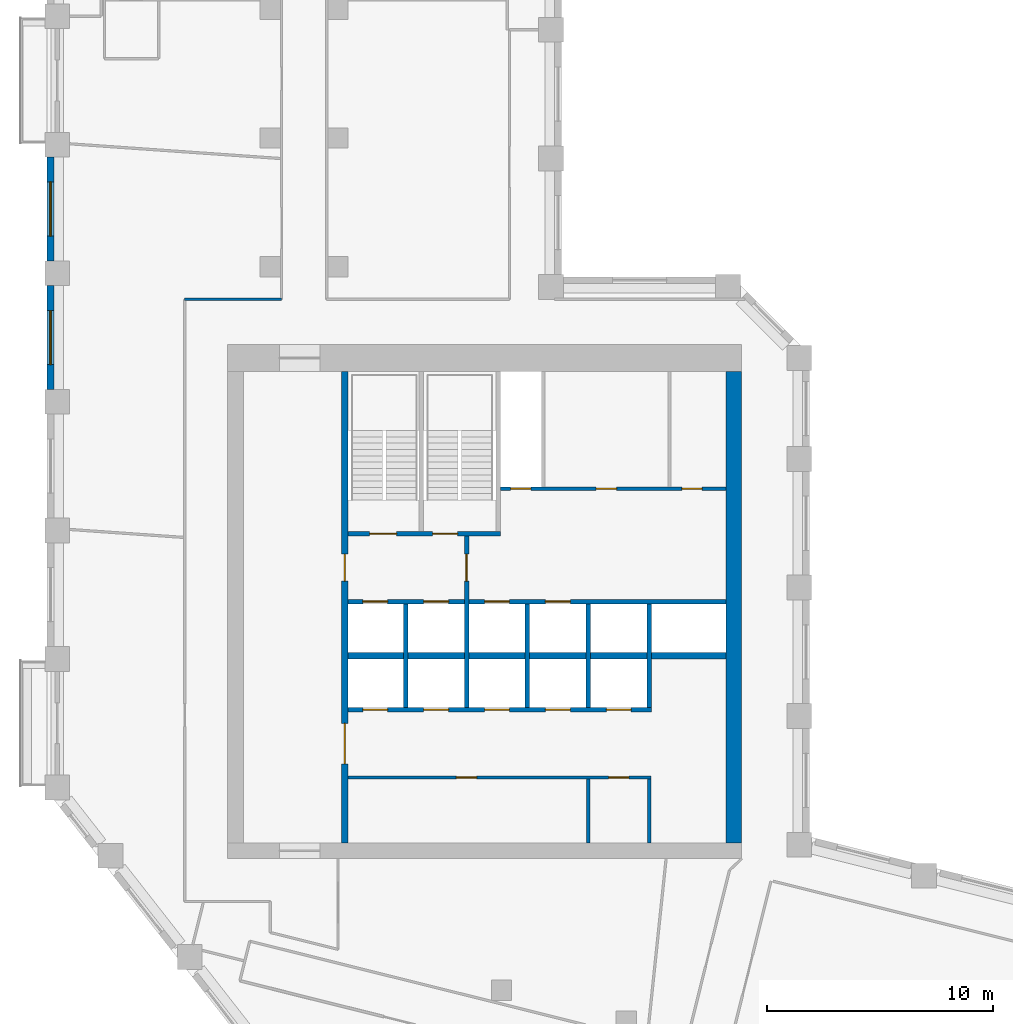
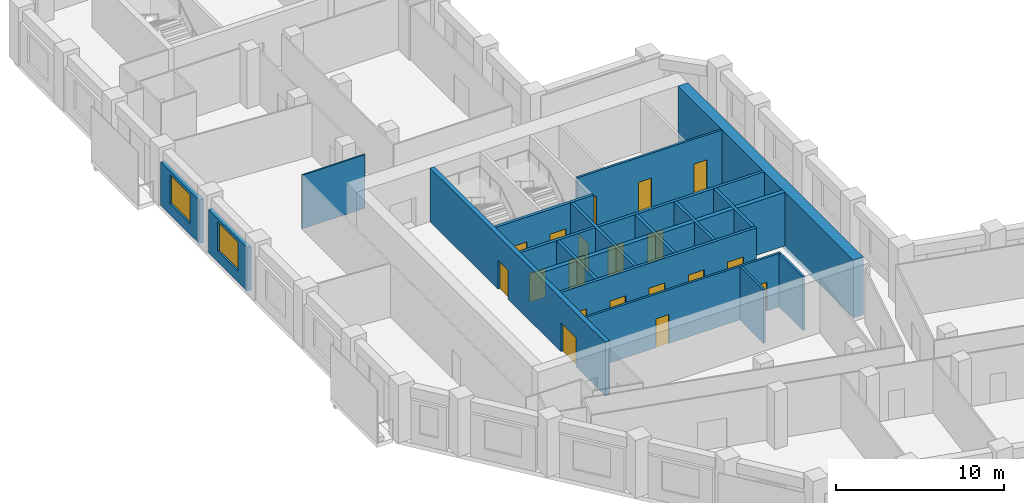
# One storey, part 5 of 10: 19 doors, 18 walls, 2 windows, 21 openings.
"""IFC4 building model written with IfcOpenShell, lengths in metres."""

from ifc_helpers import new_model, si_unit, direction, frame, frame_2d, origin, place, context, subcontext, project, spatial, rectangle, extrude, material, layer, layer_set, type_object, element, fill, save


model = new_model("IFC4")

# Units and contexts
model_context = context("Model", 3, precision=1e-05, world=origin(), true_north=direction((0.0, 1.0)))
body_context = subcontext(model_context, "Body", "Model", "MODEL_VIEW")
ifc_project = project(units=[si_unit("LENGTHUNIT", "METRE"), si_unit("AREAUNIT", "SQUARE_METRE"), si_unit("VOLUMEUNIT", "CUBIC_METRE"), si_unit("PLANEANGLEUNIT", "RADIAN"), si_unit("MASSUNIT", "GRAM", prefix="KILO")], contexts=[model_context])

# Site, building, storey
site_placement = place(None, origin())
site = spatial("IfcSite", under=ifc_project, at=site_placement, CompositionType="ELEMENT")
building_placement = place(site_placement, origin())
building = spatial("IfcBuilding", under=site, at=building_placement, Name="Meshkara Civic Tower", CompositionType="ELEMENT")
storey_placement = place(building_placement, frame((0.0, 0.0, 234.0)))
storey = spatial("IfcBuildingStorey", under=building, at=storey_placement, Name="L53", CompositionType="ELEMENT", Elevation=234.0)

# Wall, openings, doors
ifc_material_1 = material(Name="Blockwork", Category="masonry")
ifc_layer_1 = layer(ifc_material_1, 0.14990234375)
ifc_layer_set_1 = layer_set([ifc_layer_1], Name="Core partition 150")
wall_type_1 = type_object("IfcWallType", Name="Core partition 150", PredefinedType="PARTITIONING", material=ifc_layer_set_1)
wall_1_placement = place(storey_placement, frame((13.35009765625, 17.699951171875, 0.0), z_axis=(0.0, 0.0, 1.0), x_axis=(1.0, 0.0, 0.0)))
wall_1 = element("IfcWall", 1, at=wall_1_placement, inside=storey, type_object=wall_type_1, Name="L53-C005", PredefinedType="PARTITIONING", context=body_context, shape_type="SweptSolid", body=[
    extrude(rectangle(XDim=13.4248046875, YDim=0.14990234375, at=frame_2d((6.71240234375, 0.0))), origin(), (0.0, 0.0, 1.0), 3.89990234375),
])
opening_1_placement = place(wall_1_placement, frame((4.800048828125, 0.0, 0.0)))
opening_1 = element("IfcOpeningElement", 2, at=opening_1_placement, cuts=wall_1, Name="Opening L53-K010", PredefinedType="OPENING", context=body_context, shape_type="SweptSolid", body=[
    extrude(rectangle(XDim=0.89990234375, YDim=2.10009765625, at=frame_2d((0.449951171875, 1.050048828125))), frame((0.0, 0.0849609375, 0.0), z_axis=(0.0, -1.0, 0.0), x_axis=(1.0, 0.0, 0.0)), (0.0, 0.0, 1.0), 0.169921875),
])
opening_2_placement = place(wall_1_placement, frame((11.550048828125, 0.0, 0.0)))
opening_2 = element("IfcOpeningElement", 3, at=opening_2_placement, cuts=wall_1, Name="Opening L53-K011", PredefinedType="OPENING", context=body_context, shape_type="SweptSolid", body=[
    extrude(rectangle(XDim=0.89990234375, YDim=2.10009765625, at=frame_2d((0.449951171875, 1.050048828125))), frame((0.0, 0.0849609375, 0.0), z_axis=(0.0, -1.0, 0.0), x_axis=(1.0, 0.0, 0.0)), (0.0, 0.0, 1.0), 0.169921875),
])
ifc_material_2 = material(Name="Timber door leaf in steel frame", Category="steel")
door_type_1 = type_object("IfcDoorType", Name="Core room door 900", OperationType="SINGLE_SWING_LEFT", PredefinedType="DOOR", material=ifc_material_2)
door_1_placement = place(opening_1_placement, origin())
door_1 = element("IfcDoor", 4, at=door_1_placement, inside=storey, type_object=door_type_1, Name="L53-K010", OperationType="SINGLE_SWING_LEFT", OverallHeight=2.10009765625, OverallWidth=0.89990234375, PredefinedType="DOOR", context=body_context, shape_type="SweptSolid", body=[
    extrude(rectangle(XDim=0.89990234375, YDim=2.10009765625, at=frame_2d((0.449951171875, 1.050048828125))), frame((0.0, 0.02490234375, 0.0), z_axis=(0.0, -1.0, 0.0), x_axis=(1.0, 0.0, 0.0)), (0.0, 0.0, 1.0), 0.050048828125),
])
fill(opening_1, door_1)
door_2_placement = place(opening_2_placement, origin())
door_2 = element("IfcDoor", 5, at=door_2_placement, inside=storey, type_object=door_type_1, Name="L53-K011", OperationType="SINGLE_SWING_LEFT", OverallHeight=2.10009765625, OverallWidth=0.89990234375, PredefinedType="DOOR", context=body_context, shape_type="SweptSolid", body=[
    extrude(rectangle(XDim=0.89990234375, YDim=2.10009765625, at=frame_2d((0.449951171875, 1.050048828125))), frame((0.0, 0.02490234375, 0.0), z_axis=(0.0, -1.0, 0.0), x_axis=(1.0, 0.0, 0.0)), (0.0, 0.0, 1.0), 0.050048828125),
])
fill(opening_2, door_2)

wall_2_placement = place(storey_placement, frame((20.10009765625, 30.5, 0.0), z_axis=(0.0, 0.0, 1.0), x_axis=(1.0, 0.0, 0.0)))
wall_2 = element("IfcWall", 6, at=wall_2_placement, inside=storey, type_object=wall_type_1, Name="L53-C010", PredefinedType="PARTITIONING", context=body_context, shape_type="SweptSolid", body=[
    extrude(rectangle(XDim=10.0, YDim=0.14990234375, at=frame_2d((5.0, 0.0))), origin(), (0.0, 0.0, 1.0), 3.89990234375),
])
opening_3_placement = place(wall_2_placement, frame((0.449951171875, 0.0, 0.0)))
opening_3 = element("IfcOpeningElement", 7, at=opening_3_placement, cuts=wall_2, Name="Opening L53-K012", PredefinedType="OPENING", context=body_context, shape_type="SweptSolid", body=[
    extrude(rectangle(XDim=0.89990234375, YDim=2.10009765625, at=frame_2d((0.449951171875, 1.050048828125))), frame((0.0, 0.0849609375, 0.0), z_axis=(0.0, -1.0, 0.0), x_axis=(1.0, 0.0, 0.0)), (0.0, 0.0, 1.0), 0.169921875),
])
opening_4_placement = place(wall_2_placement, frame((4.25, 0.0, 0.0)))
opening_4 = element("IfcOpeningElement", 8, at=opening_4_placement, cuts=wall_2, Name="Opening L53-K013", PredefinedType="OPENING", context=body_context, shape_type="SweptSolid", body=[
    extrude(rectangle(XDim=0.89990234375, YDim=2.10009765625, at=frame_2d((0.449951171875, 1.050048828125))), frame((0.0, 0.0849609375, 0.0), z_axis=(0.0, -1.0, 0.0), x_axis=(1.0, 0.0, 0.0)), (0.0, 0.0, 1.0), 0.169921875),
])
opening_5_placement = place(wall_2_placement, frame((8.050048828125, 0.0, 0.0)))
opening_5 = element("IfcOpeningElement", 9, at=opening_5_placement, cuts=wall_2, Name="Opening L53-K014", PredefinedType="OPENING", context=body_context, shape_type="SweptSolid", body=[
    extrude(rectangle(XDim=0.89990234375, YDim=2.10009765625, at=frame_2d((0.449951171875, 1.050048828125))), frame((0.0, 0.0849609375, 0.0), z_axis=(0.0, -1.0, 0.0), x_axis=(1.0, 0.0, 0.0)), (0.0, 0.0, 1.0), 0.169921875),
])
door_3_placement = place(opening_4_placement, origin())
door_3 = element("IfcDoor", 10, at=door_3_placement, inside=storey, type_object=door_type_1, Name="L53-K013", OperationType="SINGLE_SWING_RIGHT", OverallHeight=2.10009765625, OverallWidth=0.89990234375, PredefinedType="DOOR", context=body_context, shape_type="SweptSolid", body=[
    extrude(rectangle(XDim=0.89990234375, YDim=2.10009765625, at=frame_2d((0.449951171875, 1.050048828125))), frame((0.0, 0.02490234375, 0.0), z_axis=(0.0, -1.0, 0.0), x_axis=(1.0, 0.0, 0.0)), (0.0, 0.0, 1.0), 0.050048828125),
])
fill(opening_4, door_3)
door_4_placement = place(opening_5_placement, origin())
door_4 = element("IfcDoor", 11, at=door_4_placement, inside=storey, type_object=door_type_1, Name="L53-K014", OperationType="SINGLE_SWING_RIGHT", OverallHeight=2.10009765625, OverallWidth=0.89990234375, PredefinedType="DOOR", context=body_context, shape_type="SweptSolid", body=[
    extrude(rectangle(XDim=0.89990234375, YDim=2.10009765625, at=frame_2d((0.449951171875, 1.050048828125))), frame((0.0, 0.02490234375, 0.0), z_axis=(0.0, -1.0, 0.0), x_axis=(1.0, 0.0, 0.0)), (0.0, 0.0, 1.0), 0.050048828125),
])
fill(opening_5, door_4)
ifc_material_3 = material(Name="Fire-rated door leaf in steel frame", Category="steel")
door_type_2 = type_object("IfcDoorType", Name="Riser door 900", OperationType="SINGLE_SWING_LEFT", PredefinedType="DOOR", material=ifc_material_3)
door_5_placement = place(opening_3_placement, origin())
door_5 = element("IfcDoor", 12, at=door_5_placement, inside=storey, type_object=door_type_2, Name="L53-K012", OperationType="SINGLE_SWING_RIGHT", OverallHeight=2.10009765625, OverallWidth=0.89990234375, PredefinedType="DOOR", context=body_context, shape_type="SweptSolid", body=[
    extrude(rectangle(XDim=0.89990234375, YDim=2.10009765625, at=frame_2d((0.449951171875, 1.050048828125))), frame((0.0, 0.02490234375, 0.0), z_axis=(0.0, -1.0, 0.0), x_axis=(1.0, 0.0, 0.0)), (0.0, 0.0, 1.0), 0.050048828125),
])
fill(opening_3, door_5)

# Walls
for number, where, z_axis, x_axis, name in (
    (13, (24.0, 14.800048828125, 0.0), (0.0, 0.0, 1.0), (0.0, 1.0, 0.0), "L53-C018"),
    (14, (26.699951171875, 14.800048828125, 0.0), (0.0, 0.0, 1.0), (0.0, 1.0, 0.0), "L53-C020"),
):
    element("IfcWall", number, at=place(storey_placement, frame(where, z_axis=z_axis, x_axis=x_axis)), inside=storey, type_object=wall_type_1, Name=name, PredefinedType="PARTITIONING", context=body_context, shape_type="SweptSolid", body=[
        extrude(rectangle(XDim=2.824951171875, YDim=0.14990234375, at=frame_2d((1.41259765625, 0.0))), origin(), (0.0, 0.0, 1.0), 3.89990234375),
    ])
ifc_material_4 = material(Name="Concrete C60", Category="concrete")
ifc_layer_2 = layer(ifc_material_4, 0.699951171875)
ifc_layer_set_2 = layer_set([ifc_layer_2], Name="Core ring wall 700 C60")
wall_type_2 = type_object("IfcWallType", Name="Core ring wall 700 C60", PredefinedType="SHEAR", material=ifc_layer_set_2)
wall_3_placement = place(storey_placement, frame((30.449951171875, 14.800048828125, -0.300048828125), z_axis=(0.0, 0.0, 1.0), x_axis=(0.0, 1.0, 0.0)))
element("IfcWall", 15, at=wall_3_placement, inside=storey, type_object=wall_type_2, Name="L53-C004", PredefinedType="SHEAR", context=body_context, shape_type="SweptSolid", body=[
    extrude(rectangle(XDim=20.89990234375, YDim=0.699951171875, at=frame_2d((10.449951171875, 0.0))), origin(), (0.0, 0.0, 1.0), 4.199951171875),
])
ifc_material_5 = material(Name="Concrete C60", Category="concrete")
ifc_layer_3 = layer(ifc_material_5, 0.300048828125)
ifc_layer_set_3 = layer_set([ifc_layer_3], Name="Core shear wall 300 C60")
wall_type_3 = type_object("IfcWallType", Name="Core shear wall 300 C60", PredefinedType="SHEAR", material=ifc_layer_set_3)
wall_4_placement = place(storey_placement, frame((13.35009765625, 23.10009765625, 0.0), z_axis=(0.0, 0.0, 1.0), x_axis=(1.0, 0.0, 0.0)))
element("IfcWall", 16, at=wall_4_placement, inside=storey, type_object=wall_type_3, Name="L53-C007", PredefinedType="SHEAR", context=body_context, shape_type="SweptSolid", body=[
    extrude(rectangle(XDim=16.75, YDim=0.300048828125, at=frame_2d((8.375, 0.0))), origin(), (0.0, 0.0, 1.0), 3.89990234375),
])

# Wall, openings, doors
wall_5_placement = place(storey_placement, frame((13.199951171875, 14.800048828125, 0.0), z_axis=(0.0, 0.0, 1.0), x_axis=(0.0, 1.0, 0.0)))
wall_5 = element("IfcWall", 17, at=wall_5_placement, inside=storey, type_object=wall_type_3, Name="L53-C011", PredefinedType="SHEAR", context=body_context, shape_type="SweptSolid", body=[
    extrude(rectangle(XDim=20.89990234375, YDim=0.300048828125, at=frame_2d((10.449951171875, 0.0))), origin(), (0.0, 0.0, 1.0), 3.89990234375),
])
opening_6_placement = place(wall_5_placement, frame((3.5, 0.0, 0.0)))
opening_6 = element("IfcOpeningElement", 18, at=opening_6_placement, cuts=wall_5, Name="Opening L53-K017", PredefinedType="OPENING", context=body_context, shape_type="SweptSolid", body=[
    extrude(rectangle(XDim=1.800048828125, YDim=2.10009765625, at=frame_2d((0.89990234375, 1.050048828125))), frame((0.0, 0.159912109375, 0.0), z_axis=(0.0, -1.0, 0.0), x_axis=(1.0, 0.0, 0.0)), (0.0, 0.0, 1.0), 0.320068359375),
])
opening_7_placement = place(wall_5_placement, frame((11.60009765625, 0.0, 0.0)))
opening_7 = element("IfcOpeningElement", 19, at=opening_7_placement, cuts=wall_5, Name="Opening L53-K018", PredefinedType="OPENING", context=body_context, shape_type="SweptSolid", body=[
    extrude(rectangle(XDim=1.199951171875, YDim=2.10009765625, at=frame_2d((0.60009765625, 1.050048828125))), frame((0.0, 0.159912109375, 0.0), z_axis=(0.0, -1.0, 0.0), x_axis=(1.0, 0.0, 0.0)), (0.0, 0.0, 1.0), 0.320068359375),
])
ifc_material_6 = material(Name="Fire-rated door leaf in steel frame", Category="steel")
door_type_3 = type_object("IfcDoorType", Name="Core double door 1800 EI 60", OperationType="DOUBLE_DOOR_SINGLE_SWING", PredefinedType="DOOR", material=ifc_material_6)
door_6_placement = place(opening_6_placement, origin())
door_6 = element("IfcDoor", 20, at=door_6_placement, inside=storey, type_object=door_type_3, Name="L53-K017", OperationType="DOUBLE_DOOR_SINGLE_SWING", OverallHeight=2.10009765625, OverallWidth=1.800048828125, PredefinedType="DOOR", context=body_context, shape_type="SweptSolid", body=[
    extrude(rectangle(XDim=1.800048828125, YDim=2.10009765625, at=frame_2d((0.89990234375, 1.050048828125))), frame((0.0, 0.02490234375, 0.0), z_axis=(0.0, -1.0, 0.0), x_axis=(1.0, 0.0, 0.0)), (0.0, 0.0, 1.0), 0.050048828125),
])
fill(opening_6, door_6)
ifc_material_7 = material(Name="Fire-rated door leaf in steel frame", Category="steel")
door_type_4 = type_object("IfcDoorType", Name="Fire-fighting lobby door 1200 EI 120", OperationType="SINGLE_SWING_LEFT", PredefinedType="DOOR", material=ifc_material_7)
door_7_placement = place(opening_7_placement, origin())
door_7 = element("IfcDoor", 21, at=door_7_placement, inside=storey, type_object=door_type_4, Name="L53-K018", OperationType="SINGLE_SWING_LEFT", OverallHeight=2.10009765625, OverallWidth=1.199951171875, PredefinedType="DOOR", context=body_context, shape_type="SweptSolid", body=[
    extrude(rectangle(XDim=1.199951171875, YDim=2.10009765625, at=frame_2d((0.60009765625, 1.050048828125))), frame((0.0, 0.02490234375, 0.0), z_axis=(0.0, -1.0, 0.0), x_axis=(1.0, 0.0, 0.0)), (0.0, 0.0, 1.0), 0.050048828125),
])
fill(opening_7, door_7)

# Wall
ifc_material_8 = material(Name="Corridor wall 100")
ifc_layer_4 = layer(ifc_material_8, 0.10009765625)
ifc_layer_set_4 = layer_set([ifc_layer_4], Name="Corridor wall 100")
wall_type_4 = type_object("IfcWallType", Name="Corridor wall 100", PredefinedType="PARTITIONING", material=ifc_layer_set_4)
wall_6_placement = place(storey_placement, frame((10.39990234375, 38.89990234375, 0.0), z_axis=(0.0, 0.0, 1.0), x_axis=(-1.0, 0.0, 0.0)))
element("IfcWall", 22, at=wall_6_placement, inside=storey, type_object=wall_type_4, Name="L53-W011", PredefinedType="PARTITIONING", context=body_context, shape_type="SweptSolid", body=[
    extrude(rectangle(XDim=4.2998046875, YDim=0.10009765625, at=frame_2d((2.14990234375, 0.0))), origin(), (0.0, 0.0, 1.0), 3.89990234375),
])

# Wall, opening, window
ifc_material_9 = material(Name="Insulated infill panel with bronze anodised aluminium cladding", Category="aluminium")
ifc_layer_5 = layer(ifc_material_9, 0.300048828125)
ifc_layer_set_5 = layer_set([ifc_layer_5], Name="EXTERNAL INFILL WALL 300")
wall_type_5 = type_object("IfcWallType", Name="EXTERNAL INFILL WALL 300", PredefinedType="SOLIDWALL", material=ifc_layer_set_5)
wall_7_placement = place(storey_placement, frame((0.14990234375, 45.205078125, 0.0), z_axis=(0.0, 0.0, 1.0), x_axis=(0.0, -1.0, 0.0)))
wall_7 = element("IfcWall", 23, at=wall_7_placement, inside=storey, type_object=wall_type_5, Name="External wall", PredefinedType="SOLIDWALL", context=body_context, shape_type="SweptSolid", body=[
    extrude(rectangle(XDim=4.60009765625, YDim=0.300048828125, at=frame_2d((2.300048828125, 0.0))), origin(), (0.0, 0.0, 1.0), 3.14990234375),
])
opening_8_placement = place(wall_7_placement, frame((1.10009765625, 0.0, 0.800048828125)))
opening_8 = element("IfcOpeningElement", 24, at=opening_8_placement, cuts=wall_7, Name="Opening W7", PredefinedType="OPENING", context=body_context, shape_type="SweptSolid", body=[
    extrude(rectangle(XDim=2.39990234375, YDim=2.10009765625, at=frame_2d((1.199951171875, 1.050048828125))), frame((0.0, 0.159912109375, 0.0), z_axis=(0.0, -1.0, 0.0), x_axis=(1.0, 0.0, 0.0)), (0.0, 0.0, 1.0), 0.320068359375),
])
ifc_material_10 = material(Name="Tinted double glazing", Category="glass")
window_type = type_object("IfcWindowType", Name="WINDOW 2400x2100", PartitioningType="DOUBLE_PANEL_VERTICAL", PredefinedType="WINDOW", material=ifc_material_10)
window_1_placement = place(opening_8_placement, origin())
window_1 = element("IfcWindow", 25, at=window_1_placement, inside=storey, type_object=window_type, Name="Window", OverallHeight=2.10009765625, OverallWidth=2.39990234375, PartitioningType="DOUBLE_PANEL_VERTICAL", PredefinedType="WINDOW", context=body_context, shape_type="SweptSolid", body=[
    extrude(rectangle(XDim=2.39990234375, YDim=2.10009765625, at=frame_2d((1.199951171875, 1.050048828125))), frame((0.0, 0.030029296875, 0.0), z_axis=(0.0, -1.0, 0.0), x_axis=(1.0, 0.0, 0.0)), (0.0, 0.0, 1.0), 0.06005859375),
])
fill(opening_8, window_1)

wall_8_placement = place(storey_placement, frame((0.14990234375, 39.5048828125, 0.0), z_axis=(0.0, 0.0, 1.0), x_axis=(0.0, -1.0, 0.0)))
wall_8 = element("IfcWall", 26, at=wall_8_placement, inside=storey, type_object=wall_type_5, Name="External wall", PredefinedType="SOLIDWALL", context=body_context, shape_type="SweptSolid", body=[
    extrude(rectangle(XDim=4.599853515625, YDim=0.300048828125, at=frame_2d((2.2998046875, 0.0))), origin(), (0.0, 0.0, 1.0), 3.14990234375),
])
opening_9_placement = place(wall_8_placement, frame((1.10009765625, 0.0, 0.800048828125)))
opening_9 = element("IfcOpeningElement", 27, at=opening_9_placement, cuts=wall_8, Name="Opening W7", PredefinedType="OPENING", context=body_context, shape_type="SweptSolid", body=[
    extrude(rectangle(XDim=2.39990234375, YDim=2.10009765625, at=frame_2d((1.199951171875, 1.050048828125))), frame((0.0, 0.159912109375, 0.0), z_axis=(0.0, -1.0, 0.0), x_axis=(1.0, 0.0, 0.0)), (0.0, 0.0, 1.0), 0.320068359375),
])
window_2_placement = place(opening_9_placement, origin())
window_2 = element("IfcWindow", 28, at=window_2_placement, inside=storey, type_object=window_type, Name="Window", OverallHeight=2.10009765625, OverallWidth=2.39990234375, PartitioningType="DOUBLE_PANEL_VERTICAL", PredefinedType="WINDOW", context=body_context, shape_type="SweptSolid", body=[
    extrude(rectangle(XDim=2.39990234375, YDim=2.10009765625, at=frame_2d((1.199951171875, 1.050048828125))), frame((0.0, 0.030029296875, 0.0), z_axis=(0.0, -1.0, 0.0), x_axis=(1.0, 0.0, 0.0)), (0.0, 0.0, 1.0), 0.06005859375),
])
fill(opening_9, window_2)

# Wall, openings, doors
ifc_material_11 = material(Name="Concrete C40/50", Category="concrete")
ifc_layer_6 = layer(ifc_material_11, 0.199951171875)
ifc_layer_set_6 = layer_set([ifc_layer_6], Name="Shaft wall 200 C40/50")
wall_type_6 = type_object("IfcWallType", Name="Shaft wall 200 C40/50", PredefinedType="SOLIDWALL", material=ifc_layer_set_6)
wall_9_placement = place(storey_placement, frame((13.35009765625, 20.699951171875, 0.0), z_axis=(0.0, 0.0, 1.0), x_axis=(1.0, 0.0, 0.0)))
wall_9 = element("IfcWall", 29, at=wall_9_placement, inside=storey, type_object=wall_type_6, Name="L53-C006", PredefinedType="SOLIDWALL", context=body_context, shape_type="SweptSolid", body=[
    extrude(rectangle(XDim=13.449951171875, YDim=0.199951171875, at=frame_2d((6.72509765625, 0.0))), origin(), (0.0, 0.0, 1.0), 3.89990234375),
])
opening_10_placement = place(wall_9_placement, frame((0.64990234375, 0.0, 0.0)))
opening_10 = element("IfcOpeningElement", 30, at=opening_10_placement, cuts=wall_9, Name="Opening L53-K001", PredefinedType="OPENING", context=body_context, shape_type="SweptSolid", body=[
    extrude(rectangle(XDim=1.10009765625, YDim=2.10009765625, at=frame_2d((0.550048828125, 1.050048828125))), frame((0.0, 0.10986328125, 0.0), z_axis=(0.0, -1.0, 0.0), x_axis=(1.0, 0.0, 0.0)), (0.0, 0.0, 1.0), 0.219970703125),
])
opening_11_placement = place(wall_9_placement, frame((3.35009765625, 0.0, 0.0)))
opening_11 = element("IfcOpeningElement", 31, at=opening_11_placement, cuts=wall_9, Name="Opening L53-K002", PredefinedType="OPENING", context=body_context, shape_type="SweptSolid", body=[
    extrude(rectangle(XDim=1.10009765625, YDim=2.10009765625, at=frame_2d((0.550048828125, 1.050048828125))), frame((0.0, 0.10986328125, 0.0), z_axis=(0.0, -1.0, 0.0), x_axis=(1.0, 0.0, 0.0)), (0.0, 0.0, 1.0), 0.219970703125),
])
opening_12_placement = place(wall_9_placement, frame((6.050048828125, 0.0, 0.0)))
opening_12 = element("IfcOpeningElement", 32, at=opening_12_placement, cuts=wall_9, Name="Opening L53-K003", PredefinedType="OPENING", context=body_context, shape_type="SweptSolid", body=[
    extrude(rectangle(XDim=1.10009765625, YDim=2.10009765625, at=frame_2d((0.550048828125, 1.050048828125))), frame((0.0, 0.10986328125, 0.0), z_axis=(0.0, -1.0, 0.0), x_axis=(1.0, 0.0, 0.0)), (0.0, 0.0, 1.0), 0.219970703125),
])
opening_13_placement = place(wall_9_placement, frame((8.75, 0.0, 0.0)))
opening_13 = element("IfcOpeningElement", 33, at=opening_13_placement, cuts=wall_9, Name="Opening L53-K004", PredefinedType="OPENING", context=body_context, shape_type="SweptSolid", body=[
    extrude(rectangle(XDim=1.10009765625, YDim=2.10009765625, at=frame_2d((0.550048828125, 1.050048828125))), frame((0.0, 0.10986328125, 0.0), z_axis=(0.0, -1.0, 0.0), x_axis=(1.0, 0.0, 0.0)), (0.0, 0.0, 1.0), 0.219970703125),
])
opening_14_placement = place(wall_9_placement, frame((11.449951171875, 0.0, 0.0)))
opening_14 = element("IfcOpeningElement", 34, at=opening_14_placement, cuts=wall_9, Name="Opening L53-K005", PredefinedType="OPENING", context=body_context, shape_type="SweptSolid", body=[
    extrude(rectangle(XDim=1.10009765625, YDim=2.10009765625, at=frame_2d((0.550048828125, 1.050048828125))), frame((0.0, 0.10986328125, 0.0), z_axis=(0.0, -1.0, 0.0), x_axis=(1.0, 0.0, 0.0)), (0.0, 0.0, 1.0), 0.219970703125),
])
ifc_material_12 = material(Name="Stainless steel landing door", Category="steel")
door_type_5 = type_object("IfcDoorType", Name="Lift landing door 1100", OperationType="SLIDING_TO_LEFT", PredefinedType="DOOR", material=ifc_material_12)
door_8_placement = place(opening_10_placement, origin())
door_8 = element("IfcDoor", 35, at=door_8_placement, inside=storey, type_object=door_type_5, Name="L53-K001", OperationType="SLIDING_TO_LEFT", OverallHeight=2.10009765625, OverallWidth=1.10009765625, PredefinedType="DOOR", context=body_context, shape_type="SweptSolid", body=[
    extrude(rectangle(XDim=1.10009765625, YDim=2.10009765625, at=frame_2d((0.550048828125, 1.050048828125))), frame((0.0, 0.02490234375, 0.0), z_axis=(0.0, -1.0, 0.0), x_axis=(1.0, 0.0, 0.0)), (0.0, 0.0, 1.0), 0.050048828125),
])
fill(opening_10, door_8)
door_9_placement = place(opening_11_placement, origin())
door_9 = element("IfcDoor", 36, at=door_9_placement, inside=storey, type_object=door_type_5, Name="L53-K002", OperationType="SLIDING_TO_LEFT", OverallHeight=2.10009765625, OverallWidth=1.10009765625, PredefinedType="DOOR", context=body_context, shape_type="SweptSolid", body=[
    extrude(rectangle(XDim=1.10009765625, YDim=2.10009765625, at=frame_2d((0.550048828125, 1.050048828125))), frame((0.0, 0.02490234375, 0.0), z_axis=(0.0, -1.0, 0.0), x_axis=(1.0, 0.0, 0.0)), (0.0, 0.0, 1.0), 0.050048828125),
])
fill(opening_11, door_9)
door_10_placement = place(opening_12_placement, origin())
door_10 = element("IfcDoor", 37, at=door_10_placement, inside=storey, type_object=door_type_5, Name="L53-K003", OperationType="SLIDING_TO_LEFT", OverallHeight=2.10009765625, OverallWidth=1.10009765625, PredefinedType="DOOR", context=body_context, shape_type="SweptSolid", body=[
    extrude(rectangle(XDim=1.10009765625, YDim=2.10009765625, at=frame_2d((0.550048828125, 1.050048828125))), frame((0.0, 0.02490234375, 0.0), z_axis=(0.0, -1.0, 0.0), x_axis=(1.0, 0.0, 0.0)), (0.0, 0.0, 1.0), 0.050048828125),
])
fill(opening_12, door_10)
door_11_placement = place(opening_13_placement, origin())
door_11 = element("IfcDoor", 38, at=door_11_placement, inside=storey, type_object=door_type_5, Name="L53-K004", OperationType="SLIDING_TO_LEFT", OverallHeight=2.10009765625, OverallWidth=1.10009765625, PredefinedType="DOOR", context=body_context, shape_type="SweptSolid", body=[
    extrude(rectangle(XDim=1.10009765625, YDim=2.10009765625, at=frame_2d((0.550048828125, 1.050048828125))), frame((0.0, 0.02490234375, 0.0), z_axis=(0.0, -1.0, 0.0), x_axis=(1.0, 0.0, 0.0)), (0.0, 0.0, 1.0), 0.050048828125),
])
fill(opening_13, door_11)
door_12_placement = place(opening_14_placement, origin())
door_12 = element("IfcDoor", 39, at=door_12_placement, inside=storey, type_object=door_type_5, Name="L53-K005", OperationType="SLIDING_TO_LEFT", OverallHeight=2.10009765625, OverallWidth=1.10009765625, PredefinedType="DOOR", context=body_context, shape_type="SweptSolid", body=[
    extrude(rectangle(XDim=1.10009765625, YDim=2.10009765625, at=frame_2d((0.550048828125, 1.050048828125))), frame((0.0, 0.02490234375, 0.0), z_axis=(0.0, -1.0, 0.0), x_axis=(1.0, 0.0, 0.0)), (0.0, 0.0, 1.0), 0.050048828125),
])
fill(opening_14, door_12)

wall_10_placement = place(storey_placement, frame((13.35009765625, 25.5, 0.0), z_axis=(0.0, 0.0, 1.0), x_axis=(1.0, 0.0, 0.0)))
wall_10 = element("IfcWall", 40, at=wall_10_placement, inside=storey, type_object=wall_type_6, Name="L53-C008", PredefinedType="SOLIDWALL", context=body_context, shape_type="SweptSolid", body=[
    extrude(rectangle(XDim=16.75, YDim=0.199951171875, at=frame_2d((8.375, 0.0))), origin(), (0.0, 0.0, 1.0), 3.89990234375),
])
opening_15_placement = place(wall_10_placement, frame((0.64990234375, 0.0, 0.0)))
opening_15 = element("IfcOpeningElement", 41, at=opening_15_placement, cuts=wall_10, Name="Opening L53-K006", PredefinedType="OPENING", context=body_context, shape_type="SweptSolid", body=[
    extrude(rectangle(XDim=1.10009765625, YDim=2.10009765625, at=frame_2d((0.550048828125, 1.050048828125))), frame((0.0, 0.10986328125, 0.0), z_axis=(0.0, -1.0, 0.0), x_axis=(1.0, 0.0, 0.0)), (0.0, 0.0, 1.0), 0.219970703125),
])
opening_16_placement = place(wall_10_placement, frame((3.35009765625, 0.0, 0.0)))
opening_16 = element("IfcOpeningElement", 42, at=opening_16_placement, cuts=wall_10, Name="Opening L53-K007", PredefinedType="OPENING", context=body_context, shape_type="SweptSolid", body=[
    extrude(rectangle(XDim=1.10009765625, YDim=2.10009765625, at=frame_2d((0.550048828125, 1.050048828125))), frame((0.0, 0.10986328125, 0.0), z_axis=(0.0, -1.0, 0.0), x_axis=(1.0, 0.0, 0.0)), (0.0, 0.0, 1.0), 0.219970703125),
])
opening_17_placement = place(wall_10_placement, frame((6.050048828125, 0.0, 0.0)))
opening_17 = element("IfcOpeningElement", 43, at=opening_17_placement, cuts=wall_10, Name="Opening L53-K008", PredefinedType="OPENING", context=body_context, shape_type="SweptSolid", body=[
    extrude(rectangle(XDim=1.10009765625, YDim=2.10009765625, at=frame_2d((0.550048828125, 1.050048828125))), frame((0.0, 0.10986328125, 0.0), z_axis=(0.0, -1.0, 0.0), x_axis=(1.0, 0.0, 0.0)), (0.0, 0.0, 1.0), 0.219970703125),
])
opening_18_placement = place(wall_10_placement, frame((8.75, 0.0, 0.0)))
opening_18 = element("IfcOpeningElement", 44, at=opening_18_placement, cuts=wall_10, Name="Opening L53-K009", PredefinedType="OPENING", context=body_context, shape_type="SweptSolid", body=[
    extrude(rectangle(XDim=1.10009765625, YDim=2.10009765625, at=frame_2d((0.550048828125, 1.050048828125))), frame((0.0, 0.10986328125, 0.0), z_axis=(0.0, -1.0, 0.0), x_axis=(1.0, 0.0, 0.0)), (0.0, 0.0, 1.0), 0.219970703125),
])
door_13_placement = place(opening_15_placement, origin())
door_13 = element("IfcDoor", 45, at=door_13_placement, inside=storey, type_object=door_type_5, Name="L53-K006", OperationType="SLIDING_TO_LEFT", OverallHeight=2.10009765625, OverallWidth=1.10009765625, PredefinedType="DOOR", context=body_context, shape_type="SweptSolid", body=[
    extrude(rectangle(XDim=1.10009765625, YDim=2.10009765625, at=frame_2d((0.550048828125, 1.050048828125))), frame((0.0, 0.02490234375, 0.0), z_axis=(0.0, -1.0, 0.0), x_axis=(1.0, 0.0, 0.0)), (0.0, 0.0, 1.0), 0.050048828125),
])
fill(opening_15, door_13)
door_14_placement = place(opening_16_placement, origin())
door_14 = element("IfcDoor", 46, at=door_14_placement, inside=storey, type_object=door_type_5, Name="L53-K007", OperationType="SLIDING_TO_LEFT", OverallHeight=2.10009765625, OverallWidth=1.10009765625, PredefinedType="DOOR", context=body_context, shape_type="SweptSolid", body=[
    extrude(rectangle(XDim=1.10009765625, YDim=2.10009765625, at=frame_2d((0.550048828125, 1.050048828125))), frame((0.0, 0.02490234375, 0.0), z_axis=(0.0, -1.0, 0.0), x_axis=(1.0, 0.0, 0.0)), (0.0, 0.0, 1.0), 0.050048828125),
])
fill(opening_16, door_14)
door_15_placement = place(opening_17_placement, origin())
door_15 = element("IfcDoor", 47, at=door_15_placement, inside=storey, type_object=door_type_5, Name="L53-K008", OperationType="SLIDING_TO_LEFT", OverallHeight=2.10009765625, OverallWidth=1.10009765625, PredefinedType="DOOR", context=body_context, shape_type="SweptSolid", body=[
    extrude(rectangle(XDim=1.10009765625, YDim=2.10009765625, at=frame_2d((0.550048828125, 1.050048828125))), frame((0.0, 0.02490234375, 0.0), z_axis=(0.0, -1.0, 0.0), x_axis=(1.0, 0.0, 0.0)), (0.0, 0.0, 1.0), 0.050048828125),
])
fill(opening_17, door_15)
door_16_placement = place(opening_18_placement, origin())
door_16 = element("IfcDoor", 48, at=door_16_placement, inside=storey, type_object=door_type_5, Name="L53-K009", OperationType="SLIDING_TO_LEFT", OverallHeight=2.10009765625, OverallWidth=1.10009765625, PredefinedType="DOOR", context=body_context, shape_type="SweptSolid", body=[
    extrude(rectangle(XDim=1.10009765625, YDim=2.10009765625, at=frame_2d((0.550048828125, 1.050048828125))), frame((0.0, 0.02490234375, 0.0), z_axis=(0.0, -1.0, 0.0), x_axis=(1.0, 0.0, 0.0)), (0.0, 0.0, 1.0), 0.050048828125),
])
fill(opening_18, door_16)

# Wall
wall_11_placement = place(storey_placement, frame((15.89990234375, 20.800048828125, 0.0), z_axis=(0.0, 0.0, 1.0), x_axis=(0.0, 1.0, 0.0)))
element("IfcWall", 49, at=wall_11_placement, inside=storey, type_object=wall_type_6, Name="L53-C012", PredefinedType="SOLIDWALL", context=body_context, shape_type="SweptSolid", body=[
    extrude(rectangle(XDim=4.599853515625, YDim=0.199951171875, at=frame_2d((2.2998046875, 0.0))), origin(), (0.0, 0.0, 1.0), 3.89990234375),
])

# Wall, opening, door
wall_12_placement = place(storey_placement, frame((18.60009765625, 20.800048828125, 0.0), z_axis=(0.0, 0.0, 1.0), x_axis=(0.0, 1.0, 0.0)))
wall_12 = element("IfcWall", 50, at=wall_12_placement, inside=storey, type_object=wall_type_6, Name="L53-C014", PredefinedType="SOLIDWALL", context=body_context, shape_type="SweptSolid", body=[
    extrude(rectangle(XDim=7.599853515625, YDim=0.199951171875, at=frame_2d((3.7998046875, 0.0))), origin(), (0.0, 0.0, 1.0), 3.89990234375),
])
opening_19_placement = place(wall_12_placement, frame((5.60009765625, 0.0, 0.0)))
opening_19 = element("IfcOpeningElement", 51, at=opening_19_placement, cuts=wall_12, Name="Opening L53-K019", PredefinedType="OPENING", context=body_context, shape_type="SweptSolid", body=[
    extrude(rectangle(XDim=1.199951171875, YDim=2.10009765625, at=frame_2d((0.60009765625, 1.050048828125))), frame((0.0, 0.10986328125, 0.0), z_axis=(0.0, -1.0, 0.0), x_axis=(1.0, 0.0, 0.0)), (0.0, 0.0, 1.0), 0.219970703125),
])
door_17_placement = place(opening_19_placement, origin())
door_17 = element("IfcDoor", 52, at=door_17_placement, inside=storey, type_object=door_type_4, Name="L53-K019", OperationType="SINGLE_SWING_RIGHT", OverallHeight=2.10009765625, OverallWidth=1.199951171875, PredefinedType="DOOR", context=body_context, shape_type="SweptSolid", body=[
    extrude(rectangle(XDim=1.199951171875, YDim=2.10009765625, at=frame_2d((0.60009765625, 1.050048828125))), frame((0.0, 0.02490234375, 0.0), z_axis=(0.0, -1.0, 0.0), x_axis=(1.0, 0.0, 0.0)), (0.0, 0.0, 1.0), 0.050048828125),
])
fill(opening_19, door_17)

# Walls
for number, where, z_axis, x_axis, name in (
    (53, (21.300048828125, 20.800048828125, 0.0), (0.0, 0.0, 1.0), (0.0, 1.0, 0.0), "L53-C016"),
    (54, (24.0, 20.800048828125, 0.0), (0.0, 0.0, 1.0), (0.0, 1.0, 0.0), "L53-C019"),
    (55, (26.699951171875, 20.800048828125, 0.0), (0.0, 0.0, 1.0), (0.0, 1.0, 0.0), "L53-C021"),
):
    element("IfcWall", number, at=place(storey_placement, frame(where, z_axis=z_axis, x_axis=x_axis)), inside=storey, type_object=wall_type_6, Name=name, PredefinedType="SOLIDWALL", context=body_context, shape_type="SweptSolid", body=[
        extrude(rectangle(XDim=4.599853515625, YDim=0.199951171875, at=frame_2d((2.2998046875, 0.0))), origin(), (0.0, 0.0, 1.0), 3.89990234375),
    ])

# Wall, openings, doors
ifc_material_13 = material(Name="Concrete C40/50", Category="concrete")
ifc_layer_7 = layer(ifc_material_13, 0.199951171875)
ifc_layer_set_7 = layer_set([ifc_layer_7], Name="Stair enclosure wall 200 C40/50")
wall_type_7 = type_object("IfcWallType", Name="Stair enclosure wall 200 C40/50", PredefinedType="SOLIDWALL", material=ifc_layer_set_7)
wall_13_placement = place(storey_placement, frame((13.35009765625, 28.5, 0.0), z_axis=(0.0, 0.0, 1.0), x_axis=(1.0, 0.0, 0.0)))
wall_13 = element("IfcWall", 56, at=wall_13_placement, inside=storey, type_object=wall_type_7, Name="L53-C009", PredefinedType="SOLIDWALL", context=body_context, shape_type="SweptSolid", body=[
    extrude(rectangle(XDim=6.75, YDim=0.199951171875, at=frame_2d((3.375, 0.0))), origin(), (0.0, 0.0, 1.0), 3.89990234375),
])
opening_20_placement = place(wall_13_placement, frame((0.949951171875, 0.0, 0.0)))
opening_20 = element("IfcOpeningElement", 57, at=opening_20_placement, cuts=wall_13, Name="Opening L53-K015", PredefinedType="OPENING", context=body_context, shape_type="SweptSolid", body=[
    extrude(rectangle(XDim=1.199951171875, YDim=2.10009765625, at=frame_2d((0.60009765625, 1.050048828125))), frame((0.0, 0.10986328125, 0.0), z_axis=(0.0, -1.0, 0.0), x_axis=(1.0, 0.0, 0.0)), (0.0, 0.0, 1.0), 0.219970703125),
])
opening_21_placement = place(wall_13_placement, frame((3.75, 0.0, 0.0)))
opening_21 = element("IfcOpeningElement", 58, at=opening_21_placement, cuts=wall_13, Name="Opening L53-K016", PredefinedType="OPENING", context=body_context, shape_type="SweptSolid", body=[
    extrude(rectangle(XDim=1.10009765625, YDim=2.10009765625, at=frame_2d((0.550048828125, 1.050048828125))), frame((0.0, 0.10986328125, 0.0), z_axis=(0.0, -1.0, 0.0), x_axis=(1.0, 0.0, 0.0)), (0.0, 0.0, 1.0), 0.219970703125),
])
ifc_material_14 = material(Name="Fire-rated door leaf in steel frame", Category="steel")
door_type_6 = type_object("IfcDoorType", Name="Stair door 1100 EI 120", OperationType="SINGLE_SWING_LEFT", PredefinedType="DOOR", material=ifc_material_14)
door_18_placement = place(opening_21_placement, origin())
door_18 = element("IfcDoor", 59, at=door_18_placement, inside=storey, type_object=door_type_6, Name="L53-K016", OperationType="SINGLE_SWING_LEFT", OverallHeight=2.10009765625, OverallWidth=1.10009765625, PredefinedType="DOOR", context=body_context, shape_type="SweptSolid", body=[
    extrude(rectangle(XDim=1.10009765625, YDim=2.10009765625, at=frame_2d((0.550048828125, 1.050048828125))), frame((0.0, 0.02490234375, 0.0), z_axis=(0.0, -1.0, 0.0), x_axis=(1.0, 0.0, 0.0)), (0.0, 0.0, 1.0), 0.050048828125),
])
fill(opening_21, door_18)
ifc_material_15 = material(Name="Fire-rated door leaf in steel frame", Category="steel")
door_type_7 = type_object("IfcDoorType", Name="Stair door 1200 EI 120", OperationType="SINGLE_SWING_LEFT", PredefinedType="DOOR", material=ifc_material_15)
door_19_placement = place(opening_20_placement, origin())
door_19 = element("IfcDoor", 60, at=door_19_placement, inside=storey, type_object=door_type_7, Name="L53-K015", OperationType="SINGLE_SWING_RIGHT", OverallHeight=2.10009765625, OverallWidth=1.199951171875, PredefinedType="DOOR", context=body_context, shape_type="SweptSolid", body=[
    extrude(rectangle(XDim=1.199951171875, YDim=2.10009765625, at=frame_2d((0.60009765625, 1.050048828125))), frame((0.0, 0.02490234375, 0.0), z_axis=(0.0, -1.0, 0.0), x_axis=(1.0, 0.0, 0.0)), (0.0, 0.0, 1.0), 0.050048828125),
])
fill(opening_20, door_19)

save(model, "model.ifc")
